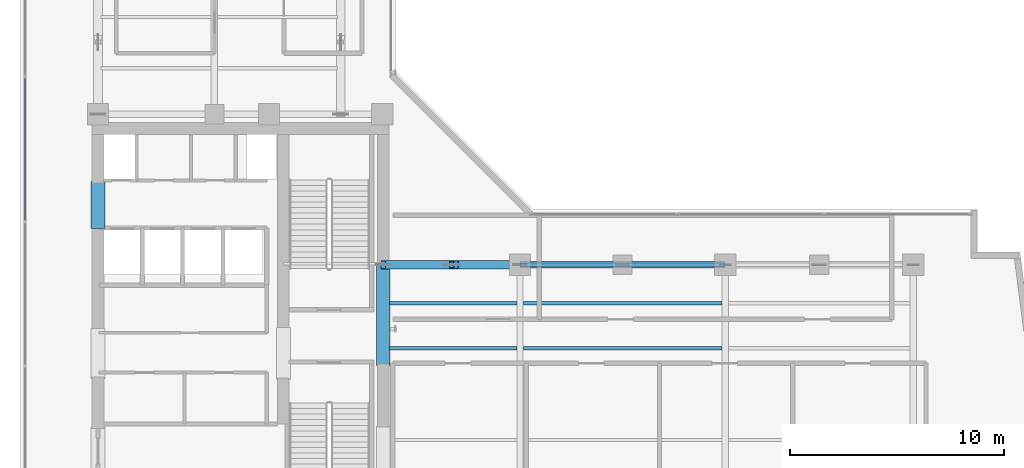
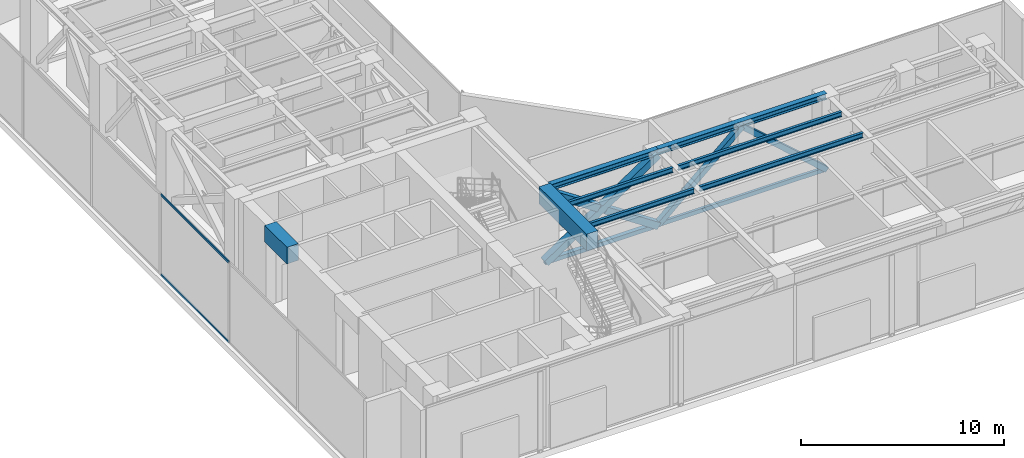
# One storey, part 8 of 31: 9 members, 8 beams, 1 element without a shape of its own.
"""IFC4 building model written with IfcOpenShell, lengths in metres."""

from ifc_helpers import new_model, si_unit, direction, frame, origin, origin_with_axes, origin_2d, place, context, subcontext, project, spatial, rectangle, hollow_rectangle, i_section, extrude, source, transform, mapped, material, layer, layer_set, material_profile, profile_set, type_object, element, aggregate, save


model = new_model("IFC4")

# Units and contexts
model_context = context("Model", 3, precision=1e-05, world=origin(), true_north=direction((0.0, 1.0)))
body_context = subcontext(model_context, "Body", "Model", "MODEL_VIEW")
ifc_project = project(units=[si_unit("LENGTHUNIT", "METRE"), si_unit("AREAUNIT", "SQUARE_METRE"), si_unit("VOLUMEUNIT", "CUBIC_METRE"), si_unit("PLANEANGLEUNIT", "RADIAN"), si_unit("MASSUNIT", "GRAM", prefix="KILO")], contexts=[model_context])

# Site, building, storey
site_placement = place(None, origin())
site = spatial("IfcSite", under=ifc_project, at=site_placement, CompositionType="ELEMENT")
building_placement = place(site_placement, origin())
building = spatial("IfcBuilding", under=site, at=building_placement, Name="Kolvaren Waterfront Exchange", CompositionType="ELEMENT")
storey_placement = place(building_placement, frame((0.0, 0.0, 257.699951171875)))
storey = spatial("IfcBuildingStorey", under=building, at=storey_placement, Name="L66", CompositionType="ELEMENT", Elevation=257.699951171875)

# Beams
ifc_material_1 = material(Name="Steel S355", Category="steel")
ifc_material_profile_1 = material_profile(ifc_material_1, i_section(OverallWidth=0.300048828125, OverallDepth=0.360107421875, WebThickness=0.012451171875, FlangeThickness=0.0224609375, FilletRadius=0.027099609375, at=origin_2d()), Name="HEB360")
ifc_profile_set_1 = profile_set([ifc_material_profile_1], Name="Steel S355")
beam_type_1 = type_object("IfcBeamType", Name="STR-BM-HEB360", PredefinedType="SPANDREL", material=ifc_profile_set_1)
beam_1_placement = place(storey_placement, frame((21.074951171875, 17.39990234375, 4.679931640625), z_axis=(1.0, 0.0, 0.0), x_axis=(0.0, 1.0, 0.0)))
element("IfcBeam", 1, at=beam_1_placement, inside=storey, type_object=beam_type_1, Name="L66 east-arm spandrel N1", PredefinedType="SPANDREL", context=body_context, shape_type="SweptSolid", body=[
    extrude(i_section(OverallWidth=0.300048828125, OverallDepth=0.360107421875, WebThickness=0.012451171875, FlangeThickness=0.0224609375, FilletRadius=0.027099609375, at=origin_2d()), origin(), (0.0, 0.0, 1.0), 6.125),
])
beam_2_placement = place(storey_placement, frame((27.199951171875, 17.39990234375, 4.679931640625), z_axis=(1.0, 0.0, 0.0), x_axis=(0.0, 1.0, 0.0)))
element("IfcBeam", 2, at=beam_2_placement, inside=storey, type_object=beam_type_1, Name="L66 east-arm spandrel N2", PredefinedType="SPANDREL", context=body_context, shape_type="SweptSolid", body=[
    extrude(i_section(OverallWidth=0.300048828125, OverallDepth=0.360107421875, WebThickness=0.012451171875, FlangeThickness=0.0224609375, FilletRadius=0.027099609375, at=origin_2d()), origin(), (0.0, 0.0, 1.0), 9.60009765625),
])
ifc_material_profile_2 = material_profile(ifc_material_1, i_section(OverallWidth=0.14990234375, OverallDepth=0.300048828125, WebThickness=0.007080078125, FlangeThickness=0.0107421875, FilletRadius=0.014892578125, at=origin_2d()), Name="IPE300")
ifc_profile_set_2 = profile_set([ifc_material_profile_2], Name="Steel S355")
beam_type_2 = type_object("IfcBeamType", Name="STR-BM-IPE300", PredefinedType="JOIST", material=ifc_profile_set_2)
for number, where, z_axis, x_axis, name in (
    (3, (21.10009765625, 13.5, 4.7099609375), (1.0, 0.0, 0.0), (0.0, 1.0, 0.0), "L66 east-arm composite joist 1A"),
    (4, (21.10009765625, 15.60009765625, 4.7099609375), (1.0, 0.0, 0.0), (0.0, 1.0, 0.0), "L66 east-arm composite joist 1C"),
):
    element("IfcBeam", number, at=place(storey_placement, frame(where, z_axis=z_axis, x_axis=x_axis)), inside=storey, type_object=beam_type_2, Name=name, PredefinedType="JOIST", context=body_context, shape_type="SweptSolid", body=[
        extrude(i_section(OverallWidth=0.14990234375, OverallDepth=0.300048828125, WebThickness=0.007080078125, FlangeThickness=0.0107421875, FilletRadius=0.014892578125, at=origin_2d()), origin(), (0.0, 0.0, 1.0), 5.947998046875),
    ])
for number, where, z_axis, x_axis, name in (
    (5, (27.35205078125, 13.5, 4.7099609375), (1.0, 0.0, 0.0), (0.0, 1.0, 0.0), "L66 east-arm composite joist 2A"),
    (6, (27.35205078125, 15.60009765625, 4.7099609375), (1.0, 0.0, 0.0), (0.0, 1.0, 0.0), "L66 east-arm composite joist 2C"),
):
    element("IfcBeam", number, at=place(storey_placement, frame(where, z_axis=z_axis, x_axis=x_axis)), inside=storey, type_object=beam_type_2, Name=name, PredefinedType="JOIST", context=body_context, shape_type="SweptSolid", body=[
        extrude(i_section(OverallWidth=0.14990234375, OverallDepth=0.300048828125, WebThickness=0.007080078125, FlangeThickness=0.0107421875, FilletRadius=0.014892578125, at=origin_2d()), origin(), (0.0, 0.0, 1.0), 9.2958984375),
    ])

# Members
ifc_material_2 = material(Name="Steel S460", Category="steel")
ifc_material_profile_3 = material_profile(ifc_material_2, hollow_rectangle(XDim=0.14990234375, YDim=0.25, WallThickness=0.010009765625, at=origin_2d()), Name="RHS250x150x10")
ifc_profile_set_3 = profile_set([ifc_material_profile_3], Name="Steel S460")
member_type_1 = type_object("IfcMemberType", Name="STR-BR-RHS250", PredefinedType="CHORD", material=ifc_profile_set_3)
member_1_placement = place(storey_placement, frame((27.199951171875, 17.39990234375, 0.25), z_axis=(1.0, 0.0, 0.0), x_axis=(0.0, 1.0, 0.0)))
element("IfcMember", 7, at=member_1_placement, inside=storey, type_object=member_type_1, Name="L66 belt-truss bottom chord BT1", PredefinedType="CHORD", context=body_context, shape_type="SweptSolid", body=[
    extrude(hollow_rectangle(XDim=0.14990234375, YDim=0.25, WallThickness=0.010009765625, at=origin_2d()), origin(), (0.0, 0.0, 1.0), 9.60009765625),
])
ifc_material_profile_4 = material_profile(ifc_material_1, hollow_rectangle(XDim=0.25, YDim=0.25, WallThickness=0.012451171875, at=origin_2d()), Name="SHS250x250x12.5")
ifc_profile_set_4 = profile_set([ifc_material_profile_4], Name="Steel S355")
member_type_2 = type_object("IfcMemberType", Name="STR-BR-SHS250", PredefinedType="CHORD", material=ifc_profile_set_4)
member_2_placement = place(storey_placement, frame((20.800048828125, 17.39990234375, 0.25), z_axis=(1.0, 0.0, 0.0), x_axis=(0.0, 1.0, 0.0)))
element("IfcMember", 8, at=member_2_placement, inside=storey, type_object=member_type_2, Name="L66 outrigger bottom chord OA2", PredefinedType="CHORD", context=body_context, shape_type="SweptSolid", body=[
    extrude(hollow_rectangle(XDim=0.25, YDim=0.25, WallThickness=0.012451171875, at=origin_2d()), origin(), (0.0, 0.0, 1.0), 6.39990234375),
])
ifc_material_profile_5 = material_profile(ifc_material_1, hollow_rectangle(XDim=0.300048828125, YDim=0.300048828125, WallThickness=0.01611328125, at=origin_2d()), Name="SHS300x300x16")
ifc_profile_set_5 = profile_set([ifc_material_profile_5], Name="Steel S355")
member_type_3 = type_object("IfcMemberType", Name="STR-BR-SHS300", PredefinedType="BRACE", material=ifc_profile_set_5)
for number, where, z_axis, x_axis, name in (
    (9, (27.199951171875, 17.39990234375, 0.25), (0.747927500504, 0.0, 0.663780426036), (0.0, 1.0, 0.0), "L66 belt-truss chevron brace BT1L"),
    (10, (36.800048828125, 17.39990234375, 0.25), (-0.747927500504, 0.0, 0.663780426036), (0.0, -1.0, 0.0), "L66 belt-truss chevron brace BT1R"),
):
    element("IfcMember", number, at=place(storey_placement, frame(where, z_axis=z_axis, x_axis=x_axis)), inside=storey, type_object=member_type_3, Name=name, PredefinedType="BRACE", context=body_context, shape_type="SweptSolid", body=[
        extrude(hollow_rectangle(XDim=0.300048828125, YDim=0.300048828125, WallThickness=0.01611328125, at=origin_2d()), origin(), (0.0, 0.0, 1.0), 6.417724609375),
    ])
ifc_material_profile_6 = material_profile(ifc_material_2, hollow_rectangle(XDim=0.39990234375, YDim=0.39990234375, WallThickness=0.02001953125, at=origin_2d()), Name="SHS400x400x20")
ifc_profile_set_6 = profile_set([ifc_material_profile_6], Name="Steel S460")
member_type_4 = type_object("IfcMemberType", Name="STR-BR-SHS400", PredefinedType="BRACE", material=ifc_profile_set_6)
member_3_placement = place(storey_placement, frame((20.800048828125, 17.39990234375, 0.25), z_axis=(0.832445808378, 0.0, 0.554106466407), x_axis=(0.0, 1.0, 0.0)))
element("IfcMember", 11, at=member_3_placement, inside=storey, type_object=member_type_4, Name="L66 outrigger diagonal OA2.1", PredefinedType="BRACE", context=body_context, shape_type="SweptSolid", body=[
    extrude(hollow_rectangle(XDim=0.39990234375, YDim=0.39990234375, WallThickness=0.02001953125, at=origin_2d()), origin(), (0.0, 0.0, 1.0), 7.68798828125),
])
for number, where, z_axis, x_axis, name in (
    (12, (27.199951171875, 17.39990234375, 0.25), (-0.832446095636, 0.0, 0.554106034853), (0.0, -1.0, 0.0), "L66 outrigger split diagonal OA2.2A"),
    (13, (23.80029296875, 17.39990234375, 2.512939453125), (-0.832446095636, 0.0, 0.554106034853), (0.0, -1.0, 0.0), "L66 outrigger split diagonal OA2.2B"),
):
    element("IfcMember", number, at=place(storey_placement, frame(where, z_axis=z_axis, x_axis=x_axis)), inside=storey, type_object=member_type_4, Name=name, PredefinedType="BRACE", context=body_context, shape_type="SweptSolid", body=[
        extrude(hollow_rectangle(XDim=0.39990234375, YDim=0.39990234375, WallThickness=0.02001953125, at=origin_2d()), origin(), (0.0, 0.0, 1.0), 3.604248046875),
    ])

# Beams
ifc_material_3 = material(Name="Concrete C60/75", Category="concrete")
ifc_material_profile_7 = material_profile(ifc_material_3, rectangle(XDim=0.64990234375, YDim=1.0, at=origin_2d()), Name="RC-CB-1000x650")
ifc_profile_set_7 = profile_set([ifc_material_profile_7], Name="Concrete C60/75")
beam_type_3 = type_object("IfcBeamType", Name="STR-CB-1000", PredefinedType="SPANDREL", material=ifc_profile_set_7)
beam_3_placement = place(storey_placement, frame((20.800048828125, 12.68994140625, 4.360107421875), z_axis=(0.0, 1.0, 0.0), x_axis=(-1.0, 0.0, 0.0)))
element("IfcBeam", 14, at=beam_3_placement, inside=storey, type_object=beam_type_3, Name="L66 core coupling beam 2", PredefinedType="SPANDREL", context=body_context, shape_type="SweptSolid", body=[
    extrude(rectangle(XDim=0.64990234375, YDim=1.0, at=origin_2d()), origin(), (0.0, 0.0, 1.0), 4.719970703125),
])
beam_4_placement = place(storey_placement, frame((7.449951171875, 19.10009765625, 4.360107421875), z_axis=(0.0, 1.0, 0.0), x_axis=(-1.0, 0.0, 0.0)))
element("IfcBeam", 15, at=beam_4_placement, inside=storey, type_object=beam_type_3, Name="L66 core coupling beam 5", PredefinedType="SPANDREL", context=body_context, shape_type="SweptSolid", body=[
    extrude(rectangle(XDim=0.64990234375, YDim=1.0, at=origin_2d()), origin(), (0.0, 0.0, 1.0), 2.199951171875),
])

# Curtain wall, members
ifc_material_4 = material(Name="Anodised dark bronze spandrel aluminium", Category="aluminium")
ifc_layer = layer(ifc_material_4, 0.219970703125, Name="Anodised dark bronze spandrel aluminium")
ifc_layer_set = layer_set([ifc_layer], Name="Anodised dark bronze spandrel aluminium")
curtain_wall_type = type_object("IfcCurtainWallType", Name="ARC-CW-SYS6", PredefinedType="USERDEFINED", material=ifc_layer_set)
curtain_wall_placement = place(storey_placement, origin())
curtain_wall = element("IfcCurtainWall", 16, at=curtain_wall_placement, inside=storey, type_object=curtain_wall_type, Name="L66 stick curtain wall CW6 (CW-L66-W)", ObjectType="STICK CURTAIN WALL", PredefinedType="USERDEFINED")
ifc_material_5 = material(Name="Anodised bronze aluminium 6063-T6", Category="aluminium")
ifc_material_profile_8 = material_profile(ifc_material_5, hollow_rectangle(XDim=0.06494140625, YDim=0.1298828125, WallThickness=0.00390625, at=origin_2d()), Name="ALU-TRN-130x65x4")
ifc_profile_set_8 = profile_set([ifc_material_profile_8], Name="Anodised bronze aluminium 6063-T6")
member_type_5 = type_object("IfcMemberType", Name="ARC-CWT-130", PredefinedType="USERDEFINED", material=ifc_profile_set_8)
shared_shape = source(origin_with_axes(), body_context, "Body", "SweptSolid", [
    extrude(hollow_rectangle(XDim=0.06494140625, YDim=0.1298828125, WallThickness=0.00390625, at=origin_2d()), origin(), (0.0, 0.0, 1.0), 6.691650390625),
])
member_4_placement = place(storey_placement, frame((4.0400390625, 19.470947265625, 0.032470703125), z_axis=(0.0, 1.0, 0.0), x_axis=(-1.0, 0.0, 0.0)))
member_4 = element("IfcMember", 17, at=member_4_placement, type_object=member_type_5, Name="CW6 transom 3.1", ObjectType="TRANSOM", PredefinedType="USERDEFINED", context=body_context, shape_type="MappedRepresentation", body=[
    mapped(shared_shape, transform((0.0, 0.0, 0.0), x_axis=(1.0, 0.0, 0.0), y_axis=(0.0, 1.0, 0.0), z_axis=(0.0, 0.0, 1.0), scale=1.0)),
])
member_5_placement = place(storey_placement, frame((4.0400390625, 19.470947265625, 4.82763671875), z_axis=(0.0, 1.0, 0.0), x_axis=(-1.0, 0.0, 0.0)))
member_5 = element("IfcMember", 18, at=member_5_placement, type_object=member_type_5, Name="CW6 transom 3.2", ObjectType="TRANSOM", PredefinedType="USERDEFINED", context=body_context, shape_type="MappedRepresentation", body=[
    mapped(shared_shape, transform((0.0, 0.0, 0.0), x_axis=(1.0, 0.0, 0.0), y_axis=(0.0, 1.0, 0.0), z_axis=(0.0, 0.0, 1.0), scale=1.0)),
])
aggregate(curtain_wall, [member_4, member_5])

save(model, "model.ifc")
